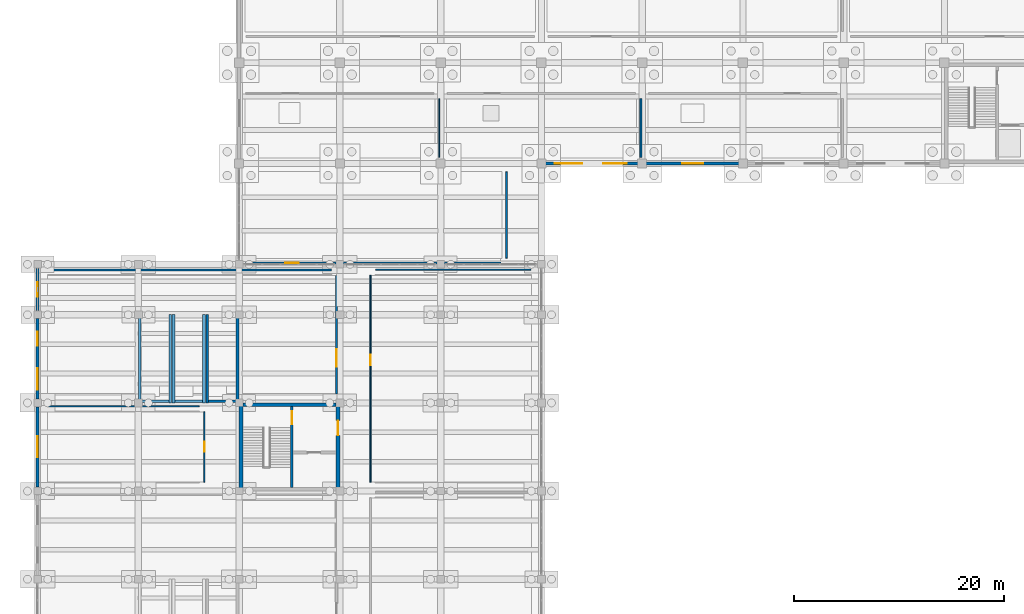
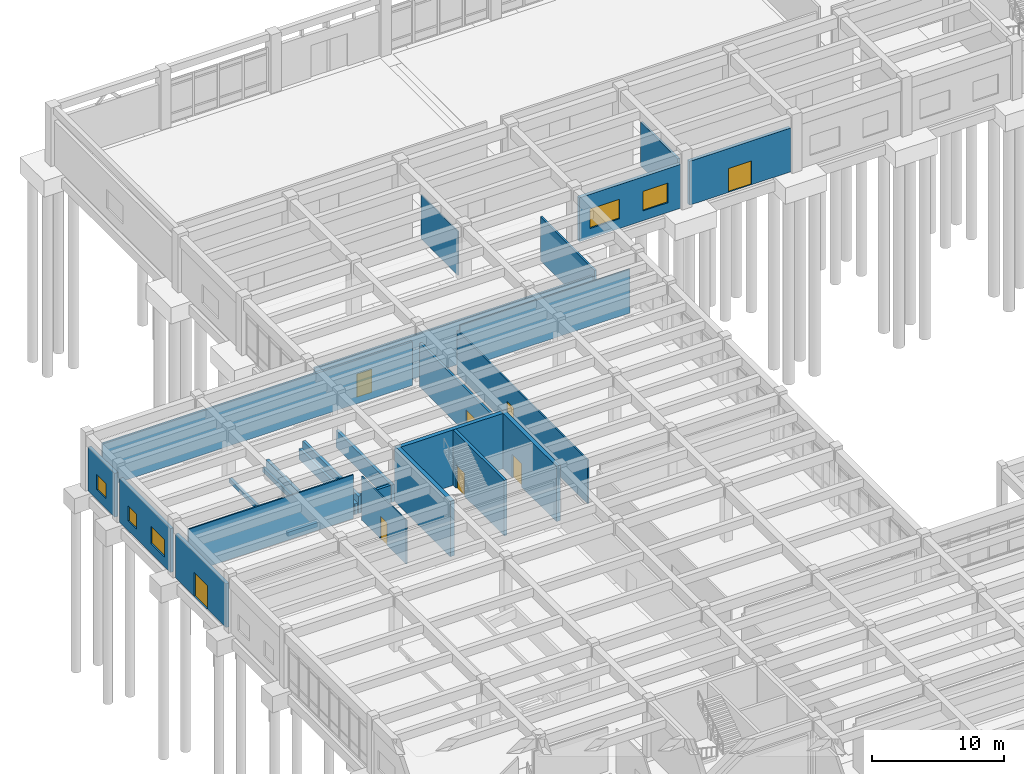
# One storey, part 80 of 102: 28 walls, 8 doors, 5 windows, 13 openings.
"""IFC4 building model written with IfcOpenShell, lengths in metres."""

from ifc_helpers import new_model, si_unit, direction, frame, frame_2d, origin, place, context, subcontext, project, spatial, rectangle, extrude, material, layer, layer_set, type_object, element, fill, save


model = new_model("IFC4")

# Units and contexts
model_context = context("Model", 3, precision=1e-05, world=origin(), true_north=direction((0.0, 1.0)))
body_context = subcontext(model_context, "Body", "Model", "MODEL_VIEW")
ifc_project = project(units=[si_unit("LENGTHUNIT", "METRE"), si_unit("AREAUNIT", "SQUARE_METRE"), si_unit("VOLUMEUNIT", "CUBIC_METRE"), si_unit("PLANEANGLEUNIT", "RADIAN"), si_unit("MASSUNIT", "GRAM", prefix="KILO")], contexts=[model_context])

# Site, building, storey
site_placement = place(None, origin())
site = spatial("IfcSite", under=ifc_project, at=site_placement, CompositionType="ELEMENT")
building_placement = place(site_placement, origin())
building = spatial("IfcBuilding", under=site, at=building_placement, Name="Kolvemor Railside Polytechnic", CompositionType="ELEMENT")
storey_placement = place(building_placement, origin())
storey = spatial("IfcBuildingStorey", under=building, at=storey_placement, Name="L00", CompositionType="ELEMENT", Elevation=0.0)

# Walls
ifc_material_1 = material(Name="Concrete C40/50", Category="concrete")
ifc_layer_1 = layer(ifc_material_1, 0.35009765625, Name="WL-CORE-350")
ifc_layer_set_1 = layer_set([ifc_layer_1], Name="Concrete C40/50")
wall_type_1 = type_object("IfcWallType", Name="WL-CORE-350", PredefinedType="SHEAR", material=ifc_layer_set_1)
wall_1_placement = place(storey_placement, frame((19.199951171875, 68.22509765625, 0.0), z_axis=(0.0, 0.0, 1.0), x_axis=(1.0, 0.0, 0.0)))
element("IfcWall", 1, at=wall_1_placement, inside=storey, type_object=wall_type_1, Name="CORE-5 North Core Wall L00", PredefinedType="SHEAR", context=body_context, shape_type="SweptSolid", body=[
    extrude(rectangle(XDim=9.60009765625, YDim=0.35009765625, at=frame_2d((4.800048828125, 0.0))), origin(), (0.0, 0.0, 1.0), 5.110107421875),
])
wall_2_placement = place(storey_placement, frame((19.375, 60.0, 0.0), z_axis=(0.0, 0.0, 1.0), x_axis=(0.0, 1.0, 0.0)))
element("IfcWall", 2, at=wall_2_placement, inside=storey, type_object=wall_type_1, Name="CORE-5 West Core Wall L00", PredefinedType="SHEAR", context=body_context, shape_type="SweptSolid", body=[
    extrude(rectangle(XDim=8.39990234375, YDim=0.35009765625, at=frame_2d((4.199951171875, 0.0))), origin(), (0.0, 0.0, 1.0), 5.110107421875),
])

# Wall, opening, door
wall_3_placement = place(storey_placement, frame((28.625, 60.0, 0.0), z_axis=(0.0, 0.0, 1.0), x_axis=(0.0, 1.0, 0.0)))
wall_3 = element("IfcWall", 3, at=wall_3_placement, inside=storey, type_object=wall_type_1, Name="CORE-5 East Core Wall L00", PredefinedType="SHEAR", context=body_context, shape_type="SweptSolid", body=[
    extrude(rectangle(XDim=8.39990234375, YDim=0.35009765625, at=frame_2d((4.199951171875, 0.0))), origin(), (0.0, 0.0, 1.0), 5.110107421875),
])
opening_1_placement = place(wall_3_placement, frame((5.300048828125, 0.0, 0.0)))
opening_1 = element("IfcOpeningElement", 4, at=opening_1_placement, cuts=wall_3, Name="Opening D-LOB-5-L00", PredefinedType="OPENING", context=body_context, shape_type="SweptSolid", body=[
    extrude(rectangle(XDim=1.39990234375, YDim=2.14990234375, at=frame_2d((0.699951171875, 1.074951171875))), frame((0.0, 0.18505859375, 0.0), z_axis=(0.0, -1.0, 0.0), x_axis=(1.0, 0.0, 0.0)), (0.0, 0.0, 1.0), 0.3701171875),
])
ifc_material_2 = material(Name="Fire-rated hardwood and brushed stainless-steel door", Category="steel")
door_type_1 = type_object("IfcDoorType", Name="DR-FD60-140x215", OperationType="NOTDEFINED", PredefinedType="DOOR", material=ifc_material_2)
door_1_placement = place(opening_1_placement, origin())
door_1 = element("IfcDoor", 5, at=door_1_placement, inside=storey, type_object=door_type_1, Name="Core Lobby Fire Door CORE-5 L00", OperationType="SINGLE_SWING_RIGHT", OverallHeight=2.14990234375, OverallWidth=1.39990234375, PredefinedType="DOOR", context=body_context, shape_type="SweptSolid", body=[
    extrude(rectangle(XDim=1.39990234375, YDim=2.14990234375, at=frame_2d((0.699951171875, 1.074951171875))), frame((0.0, 0.02490234375, 0.0), z_axis=(0.0, -1.0, 0.0), x_axis=(1.0, 0.0, 0.0)), (0.0, 0.0, 1.0), 0.050048828125),
])
fill(opening_1, door_1)

ifc_material_3 = material(Name="Precast concrete C40/50", Category="concrete")
ifc_layer_2 = layer(ifc_material_3, 0.284912109375, Name="WL-EXT-RC-285")
ifc_layer_set_2 = layer_set([ifc_layer_2], Name="Precast concrete C40/50")
wall_type_2 = type_object("IfcWallType", Name="WL-EXT-RC-285", PredefinedType="SOLIDWALL", material=ifc_layer_set_2)
wall_4_placement = place(storey_placement, frame((0.0, 68.02001953125, 0.0), z_axis=(0.0, 0.0, 1.0), x_axis=(0.0, -1.0, 0.0)))
wall_4 = element("IfcWall", 6, at=wall_4_placement, inside=storey, type_object=wall_type_2, Name="Exterior Wall L00-0067", PredefinedType="SOLIDWALL", context=body_context, shape_type="SweptSolid", body=[
    extrude(rectangle(XDim=7.64013671875, YDim=0.284912109375, at=frame_2d((3.820068359375, 0.0))), origin(), (0.0, 0.0, 1.0), 4.0400390625),
])
opening_2_placement = place(wall_4_placement, frame((2.820068359375, 0.0, 0.0)))
opening_2 = element("IfcOpeningElement", 7, at=opening_2_placement, cuts=wall_4, Name="Opening EX-07", PredefinedType="OPENING", context=body_context, shape_type="SweptSolid", body=[
    extrude(rectangle(XDim=2.0, YDim=2.199951171875, at=frame_2d((1.0, 1.10009765625))), frame((0.0, 0.15234375, 0.0), z_axis=(0.0, -1.0, 0.0), x_axis=(1.0, 0.0, 0.0)), (0.0, 0.0, 1.0), 0.304931640625),
])
ifc_material_4 = material(Name="Marine-grade thermally broken aluminium and laminated glass door", Category="aluminium")
door_type_2 = type_object("IfcDoorType", Name="DR-EXIT-200x220", OperationType="NOTDEFINED", PredefinedType="DOOR", material=ifc_material_4)
door_2_placement = place(opening_2_placement, origin())
door_2 = element("IfcDoor", 8, at=door_2_placement, inside=storey, type_object=door_type_2, Name="Exterior Door EX-07", OperationType="SINGLE_SWING_LEFT", OverallHeight=2.199951171875, OverallWidth=2.0, PredefinedType="DOOR", context=body_context, shape_type="SweptSolid", body=[
    extrude(rectangle(XDim=2.0, YDim=2.199951171875, at=frame_2d((1.0, 1.10009765625))), frame((0.0, 0.02490234375, 0.0), z_axis=(0.0, -1.0, 0.0), x_axis=(1.0, 0.0, 0.0)), (0.0, 0.0, 1.0), 0.050048828125),
])
fill(opening_2, door_2)

# Wall, openings, windows
wall_5_placement = place(storey_placement, frame((0.0, 76.419921875, 0.0), z_axis=(0.0, 0.0, 1.0), x_axis=(0.0, -1.0, 0.0)))
wall_5 = element("IfcWall", 9, at=wall_5_placement, inside=storey, type_object=wall_type_2, Name="Exterior Wall L00-0074", PredefinedType="SOLIDWALL", context=body_context, shape_type="SweptSolid", body=[
    extrude(rectangle(XDim=7.639892578125, YDim=0.284912109375, at=frame_2d((3.81982421875, 0.0))), origin(), (0.0, 0.0, 1.0), 4.0400390625),
])
opening_3_placement = place(wall_5_placement, frame((1.260009765625, 0.0, 0.89990234375)))
opening_3 = element("IfcOpeningElement", 10, at=opening_3_placement, cuts=wall_5, Name="Opening WN-M01", PredefinedType="OPENING", context=body_context, shape_type="SweptSolid", body=[
    extrude(rectangle(XDim=1.300048828125, YDim=1.39990234375, at=frame_2d((0.64990234375, 0.699951171875))), frame((0.0, 0.15234375, 0.0), z_axis=(0.0, -1.0, 0.0), x_axis=(1.0, 0.0, 0.0)), (0.0, 0.0, 1.0), 0.304931640625),
])
opening_4_placement = place(wall_5_placement, frame((4.705078125, 0.0, 0.89990234375)))
opening_4 = element("IfcOpeningElement", 11, at=opening_4_placement, cuts=wall_5, Name="Opening WN-M08", PredefinedType="OPENING", context=body_context, shape_type="SweptSolid", body=[
    extrude(rectangle(XDim=2.050048828125, YDim=1.60009765625, at=frame_2d((1.02490234375, 0.800048828125))), frame((0.0, 0.15234375, 0.0), z_axis=(0.0, -1.0, 0.0), x_axis=(1.0, 0.0, 0.0)), (0.0, 0.0, 1.0), 0.304931640625),
])
ifc_material_5 = material(Name="Hurricane-laminated thermally broken aluminium window", Category="aluminium")
window_type_1 = type_object("IfcWindowType", Name="WN-MOD-130x140", PartitioningType="SINGLE_PANEL", PredefinedType="WINDOW", material=ifc_material_5)
window_1_placement = place(opening_3_placement, origin())
window_1 = element("IfcWindow", 12, at=window_1_placement, inside=storey, type_object=window_type_1, Name="Window L00-0075", OverallHeight=1.39990234375, OverallWidth=1.300048828125, PartitioningType="SINGLE_PANEL", PredefinedType="WINDOW", context=body_context, shape_type="SweptSolid", body=[
    extrude(rectangle(XDim=1.300048828125, YDim=1.39990234375, at=frame_2d((0.64990234375, 0.699951171875))), frame((0.0, 0.030029296875, 0.0), z_axis=(0.0, -1.0, 0.0), x_axis=(1.0, 0.0, 0.0)), (0.0, 0.0, 1.0), 0.06005859375),
])
fill(opening_3, window_1)
ifc_material_6 = material(Name="Hurricane-laminated thermally broken aluminium window", Category="aluminium")
window_type_2 = type_object("IfcWindowType", Name="WN-MOD-205x160", PartitioningType="DOUBLE_PANEL_VERTICAL", PredefinedType="WINDOW", material=ifc_material_6)
window_2_placement = place(opening_4_placement, origin())
window_2 = element("IfcWindow", 13, at=window_2_placement, inside=storey, type_object=window_type_2, Name="Window L00-0076", OverallHeight=1.60009765625, OverallWidth=2.050048828125, PartitioningType="SINGLE_PANEL", PredefinedType="WINDOW", context=body_context, shape_type="SweptSolid", body=[
    extrude(rectangle(XDim=2.050048828125, YDim=1.60009765625, at=frame_2d((1.02490234375, 0.800048828125))), frame((0.0, 0.030029296875, 0.0), z_axis=(0.0, -1.0, 0.0), x_axis=(1.0, 0.0, 0.0)), (0.0, 0.0, 1.0), 0.06005859375),
])
fill(opening_4, window_2)

# Wall, opening, window
wall_6_placement = place(storey_placement, frame((0.0, 81.219970703125, 0.0), z_axis=(0.0, 0.0, 1.0), x_axis=(0.0, -1.0, 0.0)))
wall_6 = element("IfcWall", 14, at=wall_6_placement, inside=storey, type_object=wall_type_2, Name="Exterior Wall L00-0081", PredefinedType="SOLIDWALL", context=body_context, shape_type="SweptSolid", body=[
    extrude(rectangle(XDim=4.0400390625, YDim=0.284912109375, at=frame_2d((2.02001953125, 0.0))), origin(), (0.0, 0.0, 1.0), 4.0400390625),
])
opening_5_placement = place(wall_6_placement, frame((1.320068359375, 0.0, 0.89990234375)))
opening_5 = element("IfcOpeningElement", 15, at=opening_5_placement, cuts=wall_6, Name="Opening WN-ADM1", PredefinedType="OPENING", context=body_context, shape_type="SweptSolid", body=[
    extrude(rectangle(XDim=1.39990234375, YDim=1.39990234375, at=frame_2d((0.699951171875, 0.699951171875))), frame((0.0, 0.15234375, 0.0), z_axis=(0.0, -1.0, 0.0), x_axis=(1.0, 0.0, 0.0)), (0.0, 0.0, 1.0), 0.304931640625),
])
ifc_material_7 = material(Name="Hurricane-laminated thermally broken aluminium window", Category="aluminium")
window_type_3 = type_object("IfcWindowType", Name="WN-ADM-140x140", PartitioningType="SINGLE_PANEL", PredefinedType="WINDOW", material=ifc_material_7)
window_3_placement = place(opening_5_placement, origin())
window_3 = element("IfcWindow", 16, at=window_3_placement, inside=storey, type_object=window_type_3, Name="Window L00-0085", OverallHeight=1.39990234375, OverallWidth=1.39990234375, PartitioningType="SINGLE_PANEL", PredefinedType="WINDOW", context=body_context, shape_type="SweptSolid", body=[
    extrude(rectangle(XDim=1.39990234375, YDim=1.39990234375, at=frame_2d((0.699951171875, 0.699951171875))), frame((0.0, 0.030029296875, 0.0), z_axis=(0.0, -1.0, 0.0), x_axis=(1.0, 0.0, 0.0)), (0.0, 0.0, 1.0), 0.06005859375),
])
fill(opening_5, window_3)

# Wall, openings, windows
ifc_material_8 = material(Name="Concrete C40/50", Category="concrete")
ifc_layer_3 = layer(ifc_material_8, 0.300048828125, Name="WL-EXT-RC-300")
ifc_layer_set_3 = layer_set([ifc_layer_3], Name="Concrete C40/50")
wall_type_3 = type_object("IfcWallType", Name="WL-EXT-RC-300", PredefinedType="SOLIDWALL", material=ifc_layer_set_3)
wall_7_placement = place(storey_placement, frame((48.3798828125, 91.199951171875, 0.0), z_axis=(0.0, 0.0, 1.0), x_axis=(1.0, 0.0, 0.0)))
wall_7 = element("IfcWall", 17, at=wall_7_placement, inside=storey, type_object=wall_type_3, Name="Exterior Wall L00-0004", PredefinedType="SOLIDWALL", context=body_context, shape_type="SweptSolid", body=[
    extrude(rectangle(XDim=8.840087890625, YDim=0.300048828125, at=frame_2d((4.419921875, 0.0))), origin(), (0.0, 0.0, 1.0), 4.0400390625),
])
opening_6_placement = place(wall_7_placement, frame((0.909912109375, 0.0, 0.89990234375)))
opening_6 = element("IfcOpeningElement", 18, at=opening_6_placement, cuts=wall_7, Name="Opening WN-WKS1", PredefinedType="OPENING", context=body_context, shape_type="SweptSolid", body=[
    extrude(rectangle(XDim=2.60009765625, YDim=1.800048828125, at=frame_2d((1.300048828125, 0.89990234375))), frame((0.0, 0.159912109375, 0.0), z_axis=(0.0, -1.0, 0.0), x_axis=(1.0, 0.0, 0.0)), (0.0, 0.0, 1.0), 0.320068359375),
])
opening_7_placement = place(wall_7_placement, frame((5.530029296875, 0.0, 0.89990234375)))
opening_7 = element("IfcOpeningElement", 19, at=opening_7_placement, cuts=wall_7, Name="Opening WN-WKS3", PredefinedType="OPENING", context=body_context, shape_type="SweptSolid", body=[
    extrude(rectangle(XDim=2.199951171875, YDim=1.800048828125, at=frame_2d((1.10009765625, 0.89990234375))), frame((0.0, 0.159912109375, 0.0), z_axis=(0.0, -1.0, 0.0), x_axis=(1.0, 0.0, 0.0)), (0.0, 0.0, 1.0), 0.320068359375),
])
ifc_material_9 = material(Name="Hurricane-laminated thermally broken aluminium window", Category="aluminium")
window_type_4 = type_object("IfcWindowType", Name="WN-WKS-220x180", PartitioningType="DOUBLE_PANEL_VERTICAL", PredefinedType="WINDOW", material=ifc_material_9)
window_4_placement = place(opening_7_placement, origin())
window_4 = element("IfcWindow", 20, at=window_4_placement, inside=storey, type_object=window_type_4, Name="Window L00-0002", OverallHeight=1.800048828125, OverallWidth=2.199951171875, PartitioningType="SINGLE_PANEL", PredefinedType="WINDOW", context=body_context, shape_type="SweptSolid", body=[
    extrude(rectangle(XDim=2.199951171875, YDim=1.800048828125, at=frame_2d((1.10009765625, 0.89990234375))), frame((0.0, 0.030029296875, 0.0), z_axis=(0.0, -1.0, 0.0), x_axis=(1.0, 0.0, 0.0)), (0.0, 0.0, 1.0), 0.06005859375),
])
fill(opening_7, window_4)
ifc_material_10 = material(Name="Hurricane-laminated thermally broken aluminium window", Category="aluminium")
window_type_5 = type_object("IfcWindowType", Name="WN-WKS-260x180", PartitioningType="DOUBLE_PANEL_VERTICAL", PredefinedType="WINDOW", material=ifc_material_10)
window_5_placement = place(opening_6_placement, origin())
window_5 = element("IfcWindow", 21, at=window_5_placement, inside=storey, type_object=window_type_5, Name="Window L00-0001", OverallHeight=1.800048828125, OverallWidth=2.60009765625, PartitioningType="SINGLE_PANEL", PredefinedType="WINDOW", context=body_context, shape_type="SweptSolid", body=[
    extrude(rectangle(XDim=2.60009765625, YDim=1.800048828125, at=frame_2d((1.300048828125, 0.89990234375))), frame((0.0, 0.030029296875, 0.0), z_axis=(0.0, -1.0, 0.0), x_axis=(1.0, 0.0, 0.0)), (0.0, 0.0, 1.0), 0.06005859375),
])
fill(opening_6, window_5)

# Wall, opening, door
wall_8_placement = place(storey_placement, frame((57.97998046875, 91.199951171875, 0.0), z_axis=(0.0, 0.0, 1.0), x_axis=(1.0, 0.0, 0.0)))
wall_8 = element("IfcWall", 22, at=wall_8_placement, inside=storey, type_object=wall_type_3, Name="Exterior Wall L00-0005", PredefinedType="SOLIDWALL", context=body_context, shape_type="SweptSolid", body=[
    extrude(rectangle(XDim=8.840087890625, YDim=0.300048828125, at=frame_2d((4.419921875, 0.0))), origin(), (0.0, 0.0, 1.0), 4.0400390625),
])
opening_8_placement = place(wall_8_placement, frame((3.419921875, 0.0, 0.0)))
opening_8 = element("IfcOpeningElement", 23, at=opening_8_placement, cuts=wall_8, Name="Opening EX-01", PredefinedType="OPENING", context=body_context, shape_type="SweptSolid", body=[
    extrude(rectangle(XDim=2.0, YDim=2.199951171875, at=frame_2d((1.0, 1.10009765625))), frame((0.0, 0.159912109375, 0.0), z_axis=(0.0, -1.0, 0.0), x_axis=(1.0, 0.0, 0.0)), (0.0, 0.0, 1.0), 0.320068359375),
])
door_3_placement = place(opening_8_placement, origin())
door_3 = element("IfcDoor", 24, at=door_3_placement, inside=storey, type_object=door_type_2, Name="Exterior Door EX-01", OperationType="SINGLE_SWING_LEFT", OverallHeight=2.199951171875, OverallWidth=2.0, PredefinedType="DOOR", context=body_context, shape_type="SweptSolid", body=[
    extrude(rectangle(XDim=2.0, YDim=2.199951171875, at=frame_2d((1.0, 1.10009765625))), frame((0.0, 0.02490234375, 0.0), z_axis=(0.0, -1.0, 0.0), x_axis=(1.0, 0.0, 0.0)), (0.0, 0.0, 1.0), 0.050048828125),
])
fill(opening_8, door_3)

# Wall
ifc_material_11 = material(Name="Fire-rated store partition")
ifc_layer_4 = layer(ifc_material_11, 0.110107421875, Name="WL-PART-110")
ifc_layer_set_4 = layer_set([ifc_layer_4], Name="Fire-rated store partition")
wall_type_4 = type_object("IfcWallType", Name="WL-PART-110", PredefinedType="PARTITIONING", material=ifc_layer_set_4)
wall_9_placement = place(storey_placement, frame((38.280029296875, 91.800048828125, 0.0), z_axis=(0.0, 0.0, 1.0), x_axis=(0.0, 1.0, 0.0)))
element("IfcWall", 25, at=wall_9_placement, inside=storey, type_object=wall_type_4, Name="Demising Partition L00-0009", PredefinedType="PARTITIONING", context=body_context, shape_type="SweptSolid", body=[
    extrude(rectangle(XDim=5.599853515625, YDim=0.110107421875, at=frame_2d((2.7998046875, 0.0))), origin(), (0.0, 0.0, 1.0), 4.0400390625),
])

# Wall, opening, door
ifc_material_12 = material(Name="Wet-area tile-backer partition")
ifc_layer_5 = layer(ifc_material_12, 0.1201171875, Name="WL-PART-120")
ifc_layer_set_5 = layer_set([ifc_layer_5], Name="Wet-area tile-backer partition")
wall_type_5 = type_object("IfcWallType", Name="WL-PART-120", PredefinedType="PARTITIONING", material=ifc_layer_set_5)
wall_10_placement = place(storey_placement, frame((15.8798828125, 60.85009765625, 0.0), z_axis=(0.0, 0.0, 1.0), x_axis=(0.0, 1.0, 0.0)))
wall_10 = element("IfcWall", 26, at=wall_10_placement, inside=storey, type_object=wall_type_5, Name="Partition Wall L00-0037", PredefinedType="PARTITIONING", context=body_context, shape_type="SweptSolid", body=[
    extrude(rectangle(XDim=6.699951171875, YDim=0.1201171875, at=frame_2d((3.35009765625, 0.0))), origin(), (0.0, 0.0, 1.0), 4.0400390625),
])
opening_9_placement = place(wall_10_placement, frame((2.875, 0.0, 0.0)))
opening_9 = element("IfcOpeningElement", 27, at=opening_9_placement, cuts=wall_10, Name="Opening D-00022", PredefinedType="OPENING", context=body_context, shape_type="SweptSolid", body=[
    extrude(rectangle(XDim=0.949951171875, YDim=2.10009765625, at=frame_2d((0.47509765625, 1.050048828125))), frame((0.0, 0.070068359375, 0.0), z_axis=(0.0, -1.0, 0.0), x_axis=(1.0, 0.0, 0.0)), (0.0, 0.0, 1.0), 0.14013671875),
])
ifc_material_13 = material(Name="Solid hardwood acoustic door", Category="wood")
door_type_3 = type_object("IfcDoorType", Name="DR-WC-095x210", OperationType="NOTDEFINED", PredefinedType="DOOR", material=ifc_material_13)
door_4_placement = place(opening_9_placement, origin())
door_4 = element("IfcDoor", 28, at=door_4_placement, inside=storey, type_object=door_type_3, Name="Room Door D-00022 (North Lecture Staff WC L00)", OperationType="SINGLE_SWING_LEFT", OverallHeight=2.10009765625, OverallWidth=0.949951171875, PredefinedType="DOOR", context=body_context, shape_type="SweptSolid", body=[
    extrude(rectangle(XDim=0.949951171875, YDim=2.10009765625, at=frame_2d((0.47509765625, 1.050048828125))), frame((0.0, 0.02490234375, 0.0), z_axis=(0.0, -1.0, 0.0), x_axis=(1.0, 0.0, 0.0)), (0.0, 0.0, 1.0), 0.050048828125),
])
fill(opening_9, door_4)

# Wall
wall_11_placement = place(storey_placement, frame((1.0, 68.080078125, 0.0), z_axis=(0.0, 0.0, 1.0), x_axis=(1.0, 0.0, 0.0)))
element("IfcWall", 29, at=wall_11_placement, inside=storey, type_object=wall_type_5, Name="Demising Partition L00-0038", PredefinedType="PARTITIONING", context=body_context, shape_type="SweptSolid", body=[
    extrude(rectangle(XDim=14.39990234375, YDim=0.1201171875, at=frame_2d((7.199951171875, 0.0))), origin(), (0.0, 0.0, 1.0), 4.0400390625),
])

# Wall, opening, door
ifc_material_14 = material(Name="Departmental partition")
ifc_layer_6 = layer(ifc_material_14, 0.1298828125, Name="WL-PART-130")
ifc_layer_set_6 = layer_set([ifc_layer_6], Name="Departmental partition")
wall_type_6 = type_object("IfcWallType", Name="WL-PART-130", PredefinedType="PARTITIONING", material=ifc_layer_set_6)
wall_12_placement = place(storey_placement, frame((31.719970703125, 60.85009765625, 0.0), z_axis=(0.0, 0.0, 1.0), x_axis=(0.0, 1.0, 0.0)))
wall_12 = element("IfcWall", 30, at=wall_12_placement, inside=storey, type_object=wall_type_6, Name="Partition Wall L00-0039", PredefinedType="PARTITIONING", context=body_context, shape_type="SweptSolid", body=[
    extrude(rectangle(XDim=19.699951171875, YDim=0.1298828125, at=frame_2d((9.85009765625, 0.0))), origin(), (0.0, 0.0, 1.0), 4.0400390625),
])
opening_10_placement = place(wall_12_placement, frame((11.152099609375, 0.0, 0.0)))
opening_10 = element("IfcOpeningElement", 31, at=opening_10_placement, cuts=wall_12, Name="Opening D-00023", PredefinedType="OPENING", context=body_context, shape_type="SweptSolid", body=[
    extrude(rectangle(XDim=0.97998046875, YDim=2.10009765625, at=frame_2d((0.489990234375, 1.050048828125))), frame((0.0, 0.074951171875, 0.0), z_axis=(0.0, -1.0, 0.0), x_axis=(1.0, 0.0, 0.0)), (0.0, 0.0, 1.0), 0.14990234375),
])
ifc_material_15 = material(Name="Solid hardwood acoustic door", Category="wood")
door_type_4 = type_object("IfcDoorType", Name="DR-ADM-098x210", OperationType="NOTDEFINED", PredefinedType="DOOR", material=ifc_material_15)
door_5_placement = place(opening_10_placement, origin())
door_5 = element("IfcDoor", 32, at=door_5_placement, inside=storey, type_object=door_type_4, Name="Room Door D-00023 (Audiovisual Control and Academic Support Room)", OperationType="SINGLE_SWING_RIGHT", OverallHeight=2.10009765625, OverallWidth=0.97998046875, PredefinedType="DOOR", context=body_context, shape_type="SweptSolid", body=[
    extrude(rectangle(XDim=0.97998046875, YDim=2.10009765625, at=frame_2d((0.489990234375, 1.050048828125))), frame((0.0, 0.02490234375, 0.0), z_axis=(0.0, -1.0, 0.0), x_axis=(1.0, 0.0, 0.0)), (0.0, 0.0, 1.0), 0.050048828125),
])
fill(opening_10, door_5)

# Wall
wall_13_placement = place(storey_placement, frame((32.199951171875, 81.080078125, 0.0), z_axis=(0.0, 0.0, 1.0), x_axis=(1.0, 0.0, 0.0)))
element("IfcWall", 33, at=wall_13_placement, inside=storey, type_object=wall_type_6, Name="Demising Partition L00-0040", PredefinedType="PARTITIONING", context=body_context, shape_type="SweptSolid", body=[
    extrude(rectangle(XDim=14.800048828125, YDim=0.1298828125, at=frame_2d((7.39990234375, 0.0))), origin(), (0.0, 0.0, 1.0), 4.0400390625),
])

# Wall, opening, door
ifc_material_16 = material(Name="Fire-rated laboratory corridor partition")
ifc_layer_7 = layer(ifc_material_16, 0.1650390625, Name="WL-PART-165")
ifc_layer_set_7 = layer_set([ifc_layer_7], Name="Fire-rated laboratory corridor partition")
wall_type_7 = type_object("IfcWallType", Name="WL-PART-165", PredefinedType="PARTITIONING", material=ifc_layer_set_7)
wall_14_placement = place(storey_placement, frame((19.85009765625, 81.719970703125, 0.0), z_axis=(0.0, 0.0, 1.0), x_axis=(1.0, 0.0, 0.0)))
wall_14 = element("IfcWall", 34, at=wall_14_placement, inside=storey, type_object=wall_type_7, Name="Partition Wall L00-0018", PredefinedType="PARTITIONING", context=body_context, shape_type="SweptSolid", body=[
    extrude(rectangle(XDim=24.2998046875, YDim=0.1650390625, at=frame_2d((12.14990234375, 0.0))), origin(), (0.0, 0.0, 1.0), 4.0400390625),
])
opening_11_placement = place(wall_14_placement, frame((3.72998046875, 0.0, 0.0)))
opening_11 = element("IfcOpeningElement", 35, at=opening_11_placement, cuts=wall_14, Name="Opening D-00012", PredefinedType="OPENING", context=body_context, shape_type="SweptSolid", body=[
    extrude(rectangle(XDim=1.300048828125, YDim=2.14990234375, at=frame_2d((0.64990234375, 1.074951171875))), frame((0.0, 0.092529296875, 0.0), z_axis=(0.0, -1.0, 0.0), x_axis=(1.0, 0.0, 0.0)), (0.0, 0.0, 1.0), 0.18505859375),
])
ifc_material_17 = material(Name="Fire-rated hardwood and brushed stainless-steel door", Category="steel")
door_type_5 = type_object("IfcDoorType", Name="DR-LAB-130x215", OperationType="NOTDEFINED", PredefinedType="DOOR", material=ifc_material_17)
door_6_placement = place(opening_11_placement, origin())
door_6 = element("IfcDoor", 36, at=door_6_placement, inside=storey, type_object=door_type_5, Name="Room Door D-00012 (Concrete and Soils Materials Laboratory)", OperationType="SINGLE_SWING_LEFT", OverallHeight=2.14990234375, OverallWidth=1.300048828125, PredefinedType="DOOR", context=body_context, shape_type="SweptSolid", body=[
    extrude(rectangle(XDim=1.300048828125, YDim=2.14990234375, at=frame_2d((0.64990234375, 1.074951171875))), frame((0.0, 0.02490234375, 0.0), z_axis=(0.0, -1.0, 0.0), x_axis=(1.0, 0.0, 0.0)), (0.0, 0.0, 1.0), 0.050048828125),
])
fill(opening_11, door_6)

# Walls
wall_15_placement = place(storey_placement, frame((44.679931640625, 82.199951171875, 0.0), z_axis=(0.0, 0.0, 1.0), x_axis=(0.0, 1.0, 0.0)))
element("IfcWall", 37, at=wall_15_placement, inside=storey, type_object=wall_type_7, Name="Demising Partition L00-0019", PredefinedType="PARTITIONING", context=body_context, shape_type="SweptSolid", body=[
    extrude(rectangle(XDim=8.199951171875, YDim=0.1650390625, at=frame_2d((4.10009765625, 0.0))), origin(), (0.0, 0.0, 1.0), 4.0400390625),
])
ifc_material_18 = material(Name="Fire-rated double-stud acoustic partition")
ifc_layer_8 = layer(ifc_material_18, 0.179931640625, Name="WL-PART-180")
ifc_layer_set_8 = layer_set([ifc_layer_8], Name="Fire-rated double-stud acoustic partition")
wall_type_8 = type_object("IfcWallType", Name="WL-PART-180", PredefinedType="PARTITIONING", material=ifc_layer_set_8)
wall_16_placement = place(storey_placement, frame((57.47998046875, 91.800048828125, 0.0), z_axis=(0.0, 0.0, 1.0), x_axis=(0.0, 1.0, 0.0)))
element("IfcWall", 38, at=wall_16_placement, inside=storey, type_object=wall_type_8, Name="Demising Partition L00-0011", PredefinedType="PARTITIONING", context=body_context, shape_type="SweptSolid", body=[
    extrude(rectangle(XDim=5.599853515625, YDim=0.179931640625, at=frame_2d((2.7998046875, 0.0))), origin(), (0.0, 0.0, 1.0), 4.0400390625),
])

# Wall, opening, door
ifc_material_19 = material(Name="Acoustic concrete blockwork and gypsum", Category="masonry")
ifc_layer_9 = layer(ifc_material_19, 0.199951171875, Name="WL-PART-200")
ifc_layer_set_9 = layer_set([ifc_layer_9], Name="Acoustic concrete blockwork and gypsum")
wall_type_9 = type_object("IfcWallType", Name="WL-PART-200", PredefinedType="PARTITIONING", material=ifc_layer_set_9)
wall_17_placement = place(storey_placement, frame((28.47998046875, 69.25, 0.0), z_axis=(0.0, 0.0, 1.0), x_axis=(0.0, 1.0, 0.0)))
wall_17 = element("IfcWall", 39, at=wall_17_placement, inside=storey, type_object=wall_type_9, Name="Partition Wall L00-0025", PredefinedType="PARTITIONING", context=body_context, shape_type="SweptSolid", body=[
    extrude(rectangle(XDim=11.300048828125, YDim=0.199951171875, at=frame_2d((5.64990234375, 0.0))), origin(), (0.0, 0.0, 1.0), 4.0400390625),
])
opening_12_placement = place(wall_17_placement, frame((2.612060546875, 0.0, 0.0)))
opening_12 = element("IfcOpeningElement", 40, at=opening_12_placement, cuts=wall_17, Name="Opening D-00016", PredefinedType="OPENING", context=body_context, shape_type="SweptSolid", body=[
    extrude(rectangle(XDim=1.64990234375, YDim=2.14990234375, at=frame_2d((0.824951171875, 1.074951171875))), frame((0.0, 0.10986328125, 0.0), z_axis=(0.0, -1.0, 0.0), x_axis=(1.0, 0.0, 0.0)), (0.0, 0.0, 1.0), 0.219970703125),
])
ifc_material_20 = material(Name="Fire-rated hardwood and brushed stainless-steel door", Category="steel")
door_type_6 = type_object("IfcDoorType", Name="DR-LT-165x215", OperationType="NOTDEFINED", PredefinedType="DOOR", material=ifc_material_20)
door_7_placement = place(opening_12_placement, origin())
door_7 = element("IfcDoor", 41, at=door_7_placement, inside=storey, type_object=door_type_6, Name="Room Door D-00016 (Lecture Theatre LT-3)", OperationType="SINGLE_SWING_LEFT", OverallHeight=2.14990234375, OverallWidth=1.64990234375, PredefinedType="DOOR", context=body_context, shape_type="SweptSolid", body=[
    extrude(rectangle(XDim=1.64990234375, YDim=2.14990234375, at=frame_2d((0.824951171875, 1.074951171875))), frame((0.0, 0.02490234375, 0.0), z_axis=(0.0, -1.0, 0.0), x_axis=(1.0, 0.0, 0.0)), (0.0, 0.0, 1.0), 0.050048828125),
])
fill(opening_12, door_7)

# Wall
wall_18_placement = place(storey_placement, frame((1.0, 81.080078125, 0.0), z_axis=(0.0, 0.0, 1.0), x_axis=(1.0, 0.0, 0.0)))
element("IfcWall", 42, at=wall_18_placement, inside=storey, type_object=wall_type_9, Name="Demising Partition L00-0026", PredefinedType="PARTITIONING", context=body_context, shape_type="SweptSolid", body=[
    extrude(rectangle(XDim=27.0, YDim=0.199951171875, at=frame_2d((13.5, 0.0))), origin(), (0.0, 0.0, 1.0), 4.0400390625),
])

# Wall, opening, door
ifc_material_21 = material(Name="Concrete C40/50", Category="concrete")
ifc_layer_10 = layer(ifc_material_21, 0.25, Name="WL-SHFT-250")
ifc_layer_set_10 = layer_set([ifc_layer_10], Name="Concrete C40/50")
wall_type_10 = type_object("IfcWallType", Name="WL-SHFT-250", PredefinedType="SHEAR", material=ifc_layer_set_10)
wall_19_placement = place(storey_placement, frame((24.22509765625, 68.050048828125, 0.0), z_axis=(0.0, 0.0, 1.0), x_axis=(0.0, -1.0, 0.0)))
wall_19 = element("IfcWall", 43, at=wall_19_placement, inside=storey, type_object=wall_type_10, Name="CORE-5 Stair-Lobby Divider Wall L00", PredefinedType="SHEAR", context=body_context, shape_type="SweptSolid", body=[
    extrude(rectangle(XDim=7.699951171875, YDim=0.25, at=frame_2d((3.85009765625, 0.0))), origin(), (0.0, 0.0, 1.0), 5.110107421875),
])
opening_13_placement = place(wall_19_placement, frame((0.449951171875, 0.0, 0.0)))
opening_13 = element("IfcOpeningElement", 44, at=opening_13_placement, cuts=wall_19, Name="Opening D-ST-5-L00", PredefinedType="OPENING", context=body_context, shape_type="SweptSolid", body=[
    extrude(rectangle(XDim=1.25, YDim=2.14990234375, at=frame_2d((0.625, 1.074951171875))), frame((0.0, 0.135009765625, 0.0), z_axis=(0.0, -1.0, 0.0), x_axis=(1.0, 0.0, 0.0)), (0.0, 0.0, 1.0), 0.27001953125),
])
ifc_material_22 = material(Name="Fire-rated hardwood and brushed stainless-steel door", Category="steel")
door_type_7 = type_object("IfcDoorType", Name="DR-FD90-125x215", OperationType="NOTDEFINED", PredefinedType="DOOR", material=ifc_material_22)
door_8_placement = place(opening_13_placement, origin())
door_8 = element("IfcDoor", 45, at=door_8_placement, inside=storey, type_object=door_type_7, Name="Stair Fire Door ST-5 L00", OperationType="SINGLE_SWING_RIGHT", OverallHeight=2.14990234375, OverallWidth=1.25, PredefinedType="DOOR", context=body_context, shape_type="SweptSolid", body=[
    extrude(rectangle(XDim=1.25, YDim=2.14990234375, at=frame_2d((0.625, 1.074951171875))), frame((0.0, 0.02490234375, 0.0), z_axis=(0.0, -1.0, 0.0), x_axis=(1.0, 0.0, 0.0)), (0.0, 0.0, 1.0), 0.050048828125),
])
fill(opening_13, door_8)

# Walls
ifc_material_23 = material(Name="Concrete C40/50", Category="concrete")
ifc_layer_11 = layer(ifc_material_23, 0.25, Name="WL-TIER-RC")
ifc_layer_set_11 = layer_set([ifc_layer_11], Name="Concrete C40/50")
wall_type_11 = type_object("IfcWallType", Name="WL-TIER-RC", PredefinedType="SHEAR", material=ifc_layer_set_11)
for number, where, z_axis, x_axis, name in (
    (46, (9.75, 68.39990234375, 0.0), (0.0, 0.0, 1.0), (0.0, 1.0, 0.0), "Lecture Tier Riser Wall LT3-F1"),
    (47, (12.64990234375, 68.39990234375, 0.0), (0.0, 0.0, 1.0), (0.0, 1.0, 0.0), "Lecture Tier Riser Wall LT3-R1"),
):
    element("IfcWall", number, at=place(storey_placement, frame(where, z_axis=z_axis, x_axis=x_axis)), inside=storey, type_object=wall_type_11, Name=name, PredefinedType="SHEAR", context=body_context, shape_type="SweptSolid", body=[
        extrude(rectangle(XDim=8.400146484375, YDim=0.25, at=frame_2d((4.2001953125, 0.0))), origin(), (0.0, 0.0, 1.0), 0.39990234375),
    ])
wall_20_placement = place(storey_placement, frame((9.89990234375, 68.550048828125, 0.0), z_axis=(0.0, 0.0, 1.0), x_axis=(1.0, 0.0, 0.0)))
element("IfcWall", 48, at=wall_20_placement, inside=storey, type_object=wall_type_11, Name="Lecture Tier Flank Wall LT3-S1", PredefinedType="SHEAR", context=body_context, shape_type="SweptSolid", body=[
    extrude(rectangle(XDim=2.60009765625, YDim=0.25, at=frame_2d((1.300048828125, 0.0))), origin(), (0.0, 0.0, 1.0), 0.39990234375),
])
for number, where, z_axis, x_axis, name in (
    (49, (12.949951171875, 68.39990234375, 0.0), (0.0, 0.0, 1.0), (0.0, 1.0, 0.0), "Lecture Tier Riser Wall LT3-F2"),
    (50, (15.85009765625, 68.39990234375, 0.0), (0.0, 0.0, 1.0), (0.0, 1.0, 0.0), "Lecture Tier Riser Wall LT3-R2"),
):
    element("IfcWall", number, at=place(storey_placement, frame(where, z_axis=z_axis, x_axis=x_axis)), inside=storey, type_object=wall_type_11, Name=name, PredefinedType="SHEAR", context=body_context, shape_type="SweptSolid", body=[
        extrude(rectangle(XDim=8.400146484375, YDim=0.25, at=frame_2d((4.2001953125, 0.0))), origin(), (0.0, 0.0, 1.0), 1.0),
    ])
wall_21_placement = place(storey_placement, frame((13.10009765625, 68.550048828125, 0.0), z_axis=(0.0, 0.0, 1.0), x_axis=(1.0, 0.0, 0.0)))
element("IfcWall", 51, at=wall_21_placement, inside=storey, type_object=wall_type_11, Name="Lecture Tier Flank Wall LT3-S2", PredefinedType="SHEAR", context=body_context, shape_type="SweptSolid", body=[
    extrude(rectangle(XDim=2.599853515625, YDim=0.25, at=frame_2d((1.2998046875, 0.0))), origin(), (0.0, 0.0, 1.0), 1.0),
])
for number, where, z_axis, x_axis, name in (
    (52, (16.14990234375, 68.39990234375, 0.0), (0.0, 0.0, 1.0), (0.0, 1.0, 0.0), "Lecture Tier Riser Wall LT3-F3"),
    (53, (19.050048828125, 68.39990234375, 0.0), (0.0, 0.0, 1.0), (0.0, 1.0, 0.0), "Lecture Tier Riser Wall LT3-R3"),
):
    element("IfcWall", number, at=place(storey_placement, frame(where, z_axis=z_axis, x_axis=x_axis)), inside=storey, type_object=wall_type_11, Name=name, PredefinedType="SHEAR", context=body_context, shape_type="SweptSolid", body=[
        extrude(rectangle(XDim=8.400146484375, YDim=0.25, at=frame_2d((4.2001953125, 0.0))), origin(), (0.0, 0.0, 1.0), 1.60009765625),
    ])
wall_22_placement = place(storey_placement, frame((16.300048828125, 68.550048828125, 0.0), z_axis=(0.0, 0.0, 1.0), x_axis=(1.0, 0.0, 0.0)))
element("IfcWall", 54, at=wall_22_placement, inside=storey, type_object=wall_type_11, Name="Lecture Tier Flank Wall LT3-S3", PredefinedType="SHEAR", context=body_context, shape_type="SweptSolid", body=[
    extrude(rectangle(XDim=2.599853515625, YDim=0.25, at=frame_2d((1.2998046875, 0.0))), origin(), (0.0, 0.0, 1.0), 1.60009765625),
])

save(model, "model.ifc")
